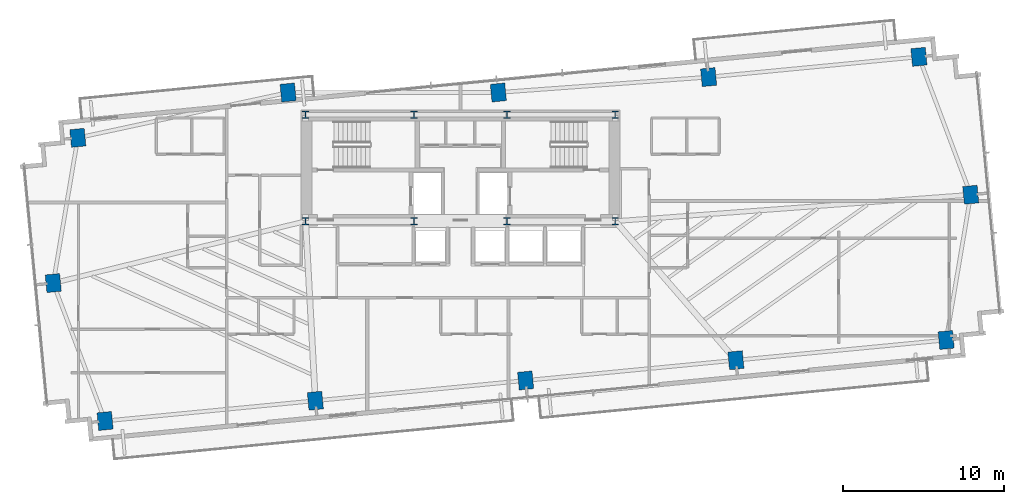
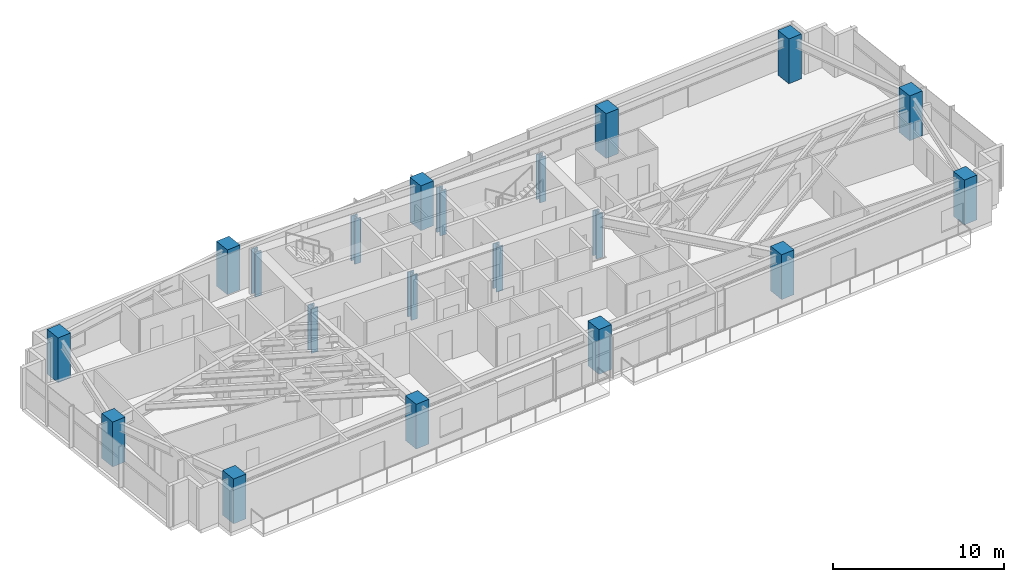
# One storey, part 1 of 27: 20 columns.
"""IFC4 building model written with IfcOpenShell, lengths in metres."""

from ifc_helpers import new_model, si_unit, direction, frame, origin, origin_2d, place, context, subcontext, project, spatial, rectangle, i_section, extrude, source, transform, mapped, material, material_profile, profile_set, type_object, type_shapes, element, save


model = new_model("IFC4")

# Units and contexts
model_context = context("Model", 3, precision=1e-05, world=origin(), true_north=direction((0.0, 1.0)))
body_context = subcontext(model_context, "Body", "Model", "MODEL_VIEW")
ifc_project = project(units=[si_unit("LENGTHUNIT", "METRE"), si_unit("AREAUNIT", "SQUARE_METRE"), si_unit("VOLUMEUNIT", "CUBIC_METRE"), si_unit("PLANEANGLEUNIT", "RADIAN"), si_unit("MASSUNIT", "GRAM", prefix="KILO")], contexts=[model_context])

# Site, building, storey
site_placement = place(None, origin())
site = spatial("IfcSite", under=ifc_project, at=site_placement, CompositionType="ELEMENT")
building_placement = place(site_placement, origin())
building = spatial("IfcBuilding", under=site, at=building_placement, Name="Astriad Promenade Condominiums", CompositionType="ELEMENT")
storey_placement = place(building_placement, frame((0.0, 0.0, 109.800048828125)))
storey = spatial("IfcBuildingStorey", under=building, at=storey_placement, Name="L31", CompositionType="ELEMENT", Elevation=109.800048828125)

# Columns
ifc_material_1 = material(Name="Steel ASTM A992 Grade 50", Category="steel")
ifc_material_profile_1 = material_profile(ifc_material_1, i_section(OverallWidth=0.427490234375, OverallDepth=0.483154296875, WebThickness=0.05126953125, FlangeThickness=0.08154296875, FilletRadius=0.017822265625, at=origin_2d()), Name="W14X455")
ifc_profile_set_1 = profile_set([ifc_material_profile_1], Name="Steel ASTM A992 Grade 50")
column_type_1 = type_object("IfcColumnType", Name="STEEL CORE PILASTER W14X455", PredefinedType="PILASTER", material=ifc_profile_set_1)
shared_shape_1 = source(origin(), body_context, "Body", "SweptSolid", [
    extrude(i_section(OverallWidth=0.427490234375, OverallDepth=0.483154296875, WebThickness=0.05126953125, FlangeThickness=0.08154296875, FilletRadius=0.017822265625, at=origin_2d()), origin(), (0.0, 0.0, 1.0), 3.196044921875),
])
type_shapes(column_type_1, [shared_shape_1])
for number, where, z_axis, x_axis, name in (
    (1, (26.39990234375, 17.39990234375, 0.001953125), (0.0, 0.0, 1.0), (1.0, 0.0, 0.0), "Core Pilaster Column CP1 (L31)"),
    (2, (33.1201171875, 17.39990234375, 0.001953125), (0.0, 0.0, 1.0), (1.0, 0.0, 0.0), "Core Pilaster Column CP2 (L31)"),
    (3, (38.8798828125, 17.39990234375, 0.001953125), (0.0, 0.0, 1.0), (1.0, 0.0, 0.0), "Core Pilaster Column CP3 (L31)"),
    (4, (45.60009765625, 17.39990234375, 0.001953125), (0.0, 0.0, 1.0), (1.0, 0.0, 0.0), "Core Pilaster Column CP4 (L31)"),
    (5, (26.39990234375, 24.0, 0.001953125), (0.0, 0.0, 1.0), (1.0, 0.0, 0.0), "Core Pilaster Column CP5 (L31)"),
    (6, (33.1201171875, 24.0, 0.001953125), (0.0, 0.0, 1.0), (1.0, 0.0, 0.0), "Core Pilaster Column CP6 (L31)"),
    (7, (38.8798828125, 24.0, 0.001953125), (0.0, 0.0, 1.0), (1.0, 0.0, 0.0), "Core Pilaster Column CP7 (L31)"),
    (8, (45.60009765625, 24.0, 0.001953125), (0.0, 0.0, 1.0), (1.0, 0.0, 0.0), "Core Pilaster Column CP8 (L31)"),
):
    element("IfcColumn", number, at=place(storey_placement, frame(where, z_axis=z_axis, x_axis=x_axis)), inside=storey, type_object=column_type_1, Name=name, PredefinedType="PILASTER", context=body_context, shape_type="MappedRepresentation", body=[
        mapped(shared_shape_1, transform((0.0, 0.0, 0.0), scale=1.0)),
    ])
ifc_material_2 = material(Name="Concrete C60/75", Category="concrete")
ifc_material_profile_2 = material_profile(ifc_material_2, rectangle(XDim=0.89990234375, YDim=1.10009765625, at=origin_2d()), Name="RC-COL-1100X900")
ifc_profile_set_2 = profile_set([ifc_material_profile_2], Name="Concrete C60/75")
column_type_2 = type_object("IfcColumnType", Name="CONCRETE TOWER COLUMN 1100X900", PredefinedType="COLUMN", material=ifc_profile_set_2)
shared_shape_2 = source(origin(), body_context, "Body", "SweptSolid", [
    extrude(rectangle(XDim=0.89990234375, YDim=1.10009765625, at=origin_2d()), origin(), (0.0, 0.0, 1.0), 3.196044921875),
])
type_shapes(column_type_2, [shared_shape_2])
for number, where, z_axis, x_axis, name in (
    (9, (13.966064453125, 5.009521484375, 0.001953125), (0.0, 0.0, 1.0), (0.995396198367, 0.09584575252, 0.0), "Perimeter Column PC01 (L31)"),
    (10, (27.005615234375, 6.264892578125, 0.001953125), (0.0, 0.0, 1.0), (0.995396198367, 0.09584575252, 0.0), "Perimeter Column PC02 (L31)"),
    (11, (40.04541015625, 7.5205078125, 0.001953125), (0.0, 0.0, 1.0), (0.995396198367, 0.09584575252, 0.0), "Perimeter Column PC03 (L31)"),
    (12, (53.0849609375, 8.776123046875, 0.001953125), (0.0, 0.0, 1.0), (0.995396198367, 0.09584575252, 0.0), "Perimeter Column PC04 (L31)"),
    (13, (66.124755859375, 10.03173828125, 0.001953125), (0.0, 0.0, 1.0), (0.995396198367, 0.09584575252, 0.0), "Perimeter Column PC05 (L31)"),
    (14, (12.275390625, 22.568115234375, 0.001953125), (0.0, 0.0, 1.0), (0.995396198367, 0.09584575252, 0.0), "Perimeter Column PC06 (L31)"),
    (15, (25.31494140625, 25.3798828125, 0.001953125), (0.0, 0.0, 1.0), (0.995396198367, 0.09584575252, 0.0), "Perimeter Column PC07 (L31)"),
    (16, (38.3544921875, 25.3798828125, 0.001953125), (0.0, 0.0, 1.0), (0.995396198367, 0.09584575252, 0.0), "Perimeter Column PC08 (L31)"),
    (17, (51.394287109375, 26.3349609375, 0.001953125), (0.0, 0.0, 1.0), (0.995396198367, 0.09584575252, 0.0), "Perimeter Column PC09 (L31)"),
    (18, (64.43408203125, 27.590576171875, 0.001953125), (0.0, 0.0, 1.0), (0.995396198367, 0.09584575252, 0.0), "Perimeter Column PC10 (L31)"),
    (19, (10.751708984375, 13.560791015625, 0.001953125), (0.0, 0.0, 1.0), (0.995396198367, 0.09584575252, 0.0), "Perimeter Column PC11 (L31)"),
    (20, (67.6484375, 19.039306640625, 0.001953125), (0.0, 0.0, 1.0), (0.995396198367, 0.09584575252, 0.0), "Perimeter Column PC12 (L31)"),
):
    element("IfcColumn", number, at=place(storey_placement, frame(where, z_axis=z_axis, x_axis=x_axis)), inside=storey, type_object=column_type_2, Name=name, PredefinedType="COLUMN", context=body_context, shape_type="MappedRepresentation", body=[
        mapped(shared_shape_2, transform((0.0, 0.0, 0.0), scale=1.0)),
    ])

save(model, "model.ifc")
